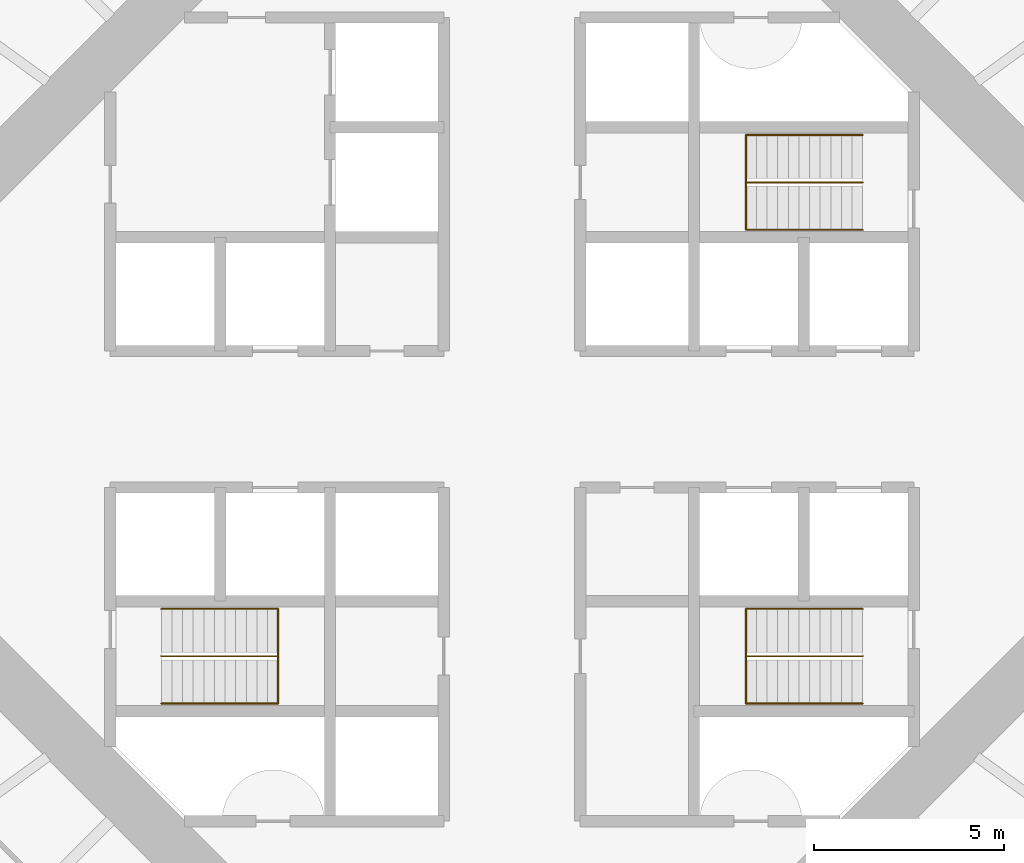
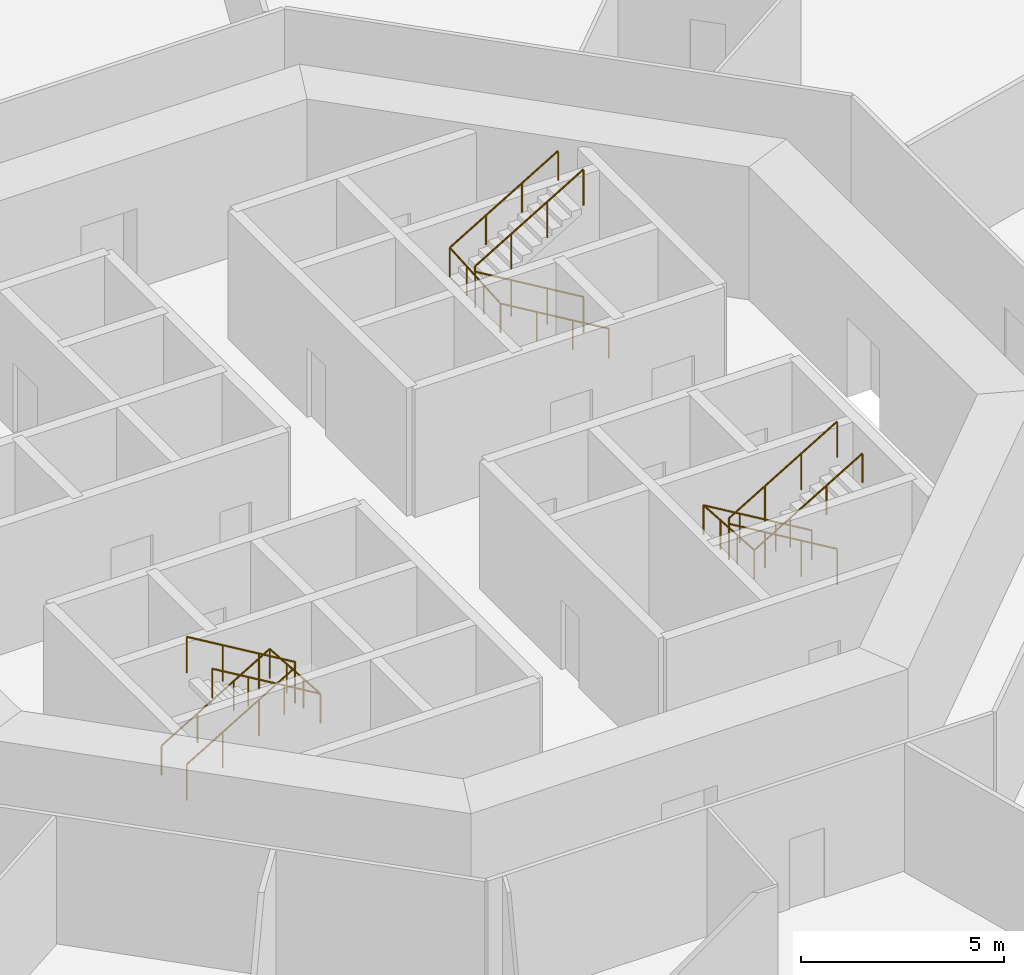
# One storey, part 13 of 13: 6 railings.
"""IFC4 building model written with IfcOpenShell, lengths in metres."""

from ifc_helpers import new_model, si_unit, direction, frame, origin, origin_2d, place, context, subcontext, project, spatial, circle, extrude, material, type_object, element, save


model = new_model("IFC4")

# Units and contexts
model_context = context("Model", 3, precision=1e-05, world=origin(), true_north=direction((0.0, 1.0)))
body_context = subcontext(model_context, "Body", "Model", "MODEL_VIEW")
ifc_project = project(units=[si_unit("LENGTHUNIT", "METRE"), si_unit("AREAUNIT", "SQUARE_METRE"), si_unit("VOLUMEUNIT", "CUBIC_METRE"), si_unit("PLANEANGLEUNIT", "RADIAN"), si_unit("MASSUNIT", "GRAM", prefix="KILO")], contexts=[model_context])

# Site, building, storey
site_placement = place(None, origin())
site = spatial("IfcSite", under=ifc_project, at=site_placement, CompositionType="ELEMENT")
building_placement = place(site_placement, origin())
building = spatial("IfcBuilding", under=site, at=building_placement, Name="Entoto Ring Tower", CompositionType="ELEMENT")
storey_placement = place(building_placement, frame((0.0, 0.0, 26.0)))
storey = spatial("IfcBuildingStorey", under=building, at=storey_placement, Name="L04", CompositionType="ELEMENT", Elevation=26.0)

# Railings
ifc_material_1 = material(Name="Steel S275", Category="steel")
railing_type_1 = type_object("IfcRailingType", Name="Stair guard 1100 mm steel", PredefinedType="GUARDRAIL", material=ifc_material_1)
railing_1_placement = place(storey_placement, frame((99.25, 86.25, 0.166748046875)))
element("IfcRailing", 1, at=railing_1_placement, inside=storey, type_object=railing_type_1, Name="Guard ST1", PredefinedType="GUARDRAIL", context=body_context, shape_type="SweptSolid", body=[
    extrude(circle(Radius=0.02392578125, at=origin_2d()), frame((0.0, 0.0, 1.076171875), z_axis=(-0.859308565015, 0.0, 0.511457515432), x_axis=(0.0, -1.0, 0.0)), (0.0, 0.0, 1.0), 3.58447265625),
    extrude(circle(Radius=0.02392578125, at=origin_2d()), frame((-3.080078125, 0.0, 2.9091796875), z_axis=(0.0, 0.0, 1.0), x_axis=(1.0, 0.0, 0.0)), (0.0, 0.0, 1.0), 0.166748046875),
    extrude(circle(Radius=0.02392578125, at=origin_2d()), frame((-3.080078125, 0.0, 3.076171875), z_axis=(0.859308565015, 0.0, 0.511457515432), x_axis=(0.0, 1.0, 0.0)), (0.0, 0.0, 1.0), 3.58447265625),
    extrude(circle(Radius=0.02099609375, at=origin_2d()), origin(), (0.0, 0.0, 1.0), 1.052001953125),
    extrude(circle(Radius=0.02099609375, at=origin_2d()), frame((-1.026611328125, 0.0, 0.611083984375)), (0.0, 0.0, 1.0), 1.052001953125),
    extrude(circle(Radius=0.02099609375, at=origin_2d()), frame((-2.053466796875, 0.0, 1.22216796875)), (0.0, 0.0, 1.0), 1.052001953125),
    extrude(circle(Radius=0.02099609375, at=origin_2d()), frame((-3.080078125, 0.0, 1.833251953125)), (0.0, 0.0, 1.0), 1.052001953125),
    extrude(circle(Radius=0.02099609375, at=origin_2d()), frame((-3.080078125, 0.0, 2.0)), (0.0, 0.0, 1.0), 1.052001953125),
    extrude(circle(Radius=0.02099609375, at=origin_2d()), frame((-2.053466796875, 0.0, 2.611083984375)), (0.0, 0.0, 1.0), 1.052001953125),
    extrude(circle(Radius=0.02099609375, at=origin_2d()), frame((-1.026611328125, 0.0, 3.22216796875)), (0.0, 0.0, 1.0), 1.052001953125),
    extrude(circle(Radius=0.02099609375, at=origin_2d()), frame((0.0, 0.0, 3.833251953125)), (0.0, 0.0, 1.0), 1.052001953125),
])
railing_2_placement = place(storey_placement, frame((80.75, 73.75, 0.166748046875)))
element("IfcRailing", 2, at=railing_2_placement, inside=storey, type_object=railing_type_1, Name="Guard ST2", PredefinedType="GUARDRAIL", context=body_context, shape_type="SweptSolid", body=[
    extrude(circle(Radius=0.02392578125, at=origin_2d()), frame((0.0, 0.0, 1.076171875), z_axis=(0.859308565015, 0.0, 0.511457515432), x_axis=(0.0, 1.0, 0.0)), (0.0, 0.0, 1.0), 3.58447265625),
    extrude(circle(Radius=0.02392578125, at=origin_2d()), frame((3.080078125, 0.0, 2.9091796875), z_axis=(0.0, 0.0, 1.0), x_axis=(1.0, 0.0, 0.0)), (0.0, 0.0, 1.0), 0.166748046875),
    extrude(circle(Radius=0.02392578125, at=origin_2d()), frame((3.080078125, 0.0, 3.076171875), z_axis=(-0.859308565015, 0.0, 0.511457515432), x_axis=(0.0, -1.0, 0.0)), (0.0, 0.0, 1.0), 3.58447265625),
    extrude(circle(Radius=0.02099609375, at=origin_2d()), origin(), (0.0, 0.0, 1.0), 1.052001953125),
    extrude(circle(Radius=0.02099609375, at=origin_2d()), frame((1.026611328125, 0.0, 0.611083984375)), (0.0, 0.0, 1.0), 1.052001953125),
    extrude(circle(Radius=0.02099609375, at=origin_2d()), frame((2.053466796875, 0.0, 1.22216796875)), (0.0, 0.0, 1.0), 1.052001953125),
    extrude(circle(Radius=0.02099609375, at=origin_2d()), frame((3.080078125, 0.0, 1.833251953125)), (0.0, 0.0, 1.0), 1.052001953125),
    extrude(circle(Radius=0.02099609375, at=origin_2d()), frame((3.080078125, 0.0, 2.0)), (0.0, 0.0, 1.0), 1.052001953125),
    extrude(circle(Radius=0.02099609375, at=origin_2d()), frame((2.053466796875, 0.0, 2.611083984375)), (0.0, 0.0, 1.0), 1.052001953125),
    extrude(circle(Radius=0.02099609375, at=origin_2d()), frame((1.026611328125, 0.0, 3.22216796875)), (0.0, 0.0, 1.0), 1.052001953125),
    extrude(circle(Radius=0.02099609375, at=origin_2d()), frame((0.0, 0.0, 3.833251953125)), (0.0, 0.0, 1.0), 1.052001953125),
])
railing_3_placement = place(storey_placement, frame((99.25, 73.75, 0.166748046875)))
element("IfcRailing", 3, at=railing_3_placement, inside=storey, type_object=railing_type_1, Name="Guard ST3", PredefinedType="GUARDRAIL", context=body_context, shape_type="SweptSolid", body=[
    extrude(circle(Radius=0.02392578125, at=origin_2d()), frame((0.0, 0.0, 1.076171875), z_axis=(-0.859308565015, 0.0, 0.511457515432), x_axis=(0.0, -1.0, 0.0)), (0.0, 0.0, 1.0), 3.58447265625),
    extrude(circle(Radius=0.02392578125, at=origin_2d()), frame((-3.080078125, 0.0, 2.9091796875), z_axis=(0.0, 0.0, 1.0), x_axis=(1.0, 0.0, 0.0)), (0.0, 0.0, 1.0), 0.166748046875),
    extrude(circle(Radius=0.02392578125, at=origin_2d()), frame((-3.080078125, 0.0, 3.076171875), z_axis=(0.859308565015, 0.0, 0.511457515432), x_axis=(0.0, 1.0, 0.0)), (0.0, 0.0, 1.0), 3.58447265625),
    extrude(circle(Radius=0.02099609375, at=origin_2d()), origin(), (0.0, 0.0, 1.0), 1.052001953125),
    extrude(circle(Radius=0.02099609375, at=origin_2d()), frame((-1.026611328125, 0.0, 0.611083984375)), (0.0, 0.0, 1.0), 1.052001953125),
    extrude(circle(Radius=0.02099609375, at=origin_2d()), frame((-2.053466796875, 0.0, 1.22216796875)), (0.0, 0.0, 1.0), 1.052001953125),
    extrude(circle(Radius=0.02099609375, at=origin_2d()), frame((-3.080078125, 0.0, 1.833251953125)), (0.0, 0.0, 1.0), 1.052001953125),
    extrude(circle(Radius=0.02099609375, at=origin_2d()), frame((-3.080078125, 0.0, 2.0)), (0.0, 0.0, 1.0), 1.052001953125),
    extrude(circle(Radius=0.02099609375, at=origin_2d()), frame((-2.053466796875, 0.0, 2.611083984375)), (0.0, 0.0, 1.0), 1.052001953125),
    extrude(circle(Radius=0.02099609375, at=origin_2d()), frame((-1.026611328125, 0.0, 3.22216796875)), (0.0, 0.0, 1.0), 1.052001953125),
    extrude(circle(Radius=0.02099609375, at=origin_2d()), frame((0.0, 0.0, 3.833251953125)), (0.0, 0.0, 1.0), 1.052001953125),
])
ifc_material_2 = material(Name="Steel S275", Category="steel")
railing_type_2 = type_object("IfcRailingType", Name="Stair handrail 900 mm steel", PredefinedType="HANDRAIL", material=ifc_material_2)
railing_4_placement = place(storey_placement, frame((99.25, 85.0, 0.166748046875)))
element("IfcRailing", 4, at=railing_4_placement, inside=storey, type_object=railing_type_2, Name="Handrail ST1", PredefinedType="HANDRAIL", context=body_context, shape_type="SweptSolid", body=[
    extrude(circle(Radius=0.02392578125, at=origin_2d()), frame((0.0, 0.0, 0.8759765625), z_axis=(-0.859308565015, 0.0, 0.511457515432), x_axis=(0.0, -1.0, 0.0)), (0.0, 0.0, 1.0), 3.58447265625),
    extrude(circle(Radius=0.02392578125, at=origin_2d()), frame((-3.080078125, 0.0, 2.708984375), z_axis=(0.0, 0.997783001586, 0.066551346688), x_axis=(-1.0, 0.0, 0.0)), (0.0, 0.0, 1.0), 2.505615234375),
    extrude(circle(Radius=0.02392578125, at=origin_2d()), frame((-3.080078125, 2.5, 2.8759765625), z_axis=(0.859308565015, 0.0, 0.511457515432), x_axis=(0.0, 1.0, 0.0)), (0.0, 0.0, 1.0), 3.58447265625),
    extrude(circle(Radius=0.02099609375, at=origin_2d()), origin(), (0.0, 0.0, 1.0), 0.851806640625),
    extrude(circle(Radius=0.02099609375, at=origin_2d()), frame((-1.026611328125, 0.0, 0.611083984375)), (0.0, 0.0, 1.0), 0.851806640625),
    extrude(circle(Radius=0.02099609375, at=origin_2d()), frame((-2.053466796875, 0.0, 1.22216796875)), (0.0, 0.0, 1.0), 0.851806640625),
    extrude(circle(Radius=0.02099609375, at=origin_2d()), frame((-3.080078125, 0.0, 1.833251953125)), (0.0, 0.0, 1.0), 0.851806640625),
    extrude(circle(Radius=0.02099609375, at=origin_2d()), frame((-3.080078125, 0.833251953125, 1.888916015625)), (0.0, 0.0, 1.0), 0.851806640625),
    extrude(circle(Radius=0.02099609375, at=origin_2d()), frame((-3.080078125, 1.666748046875, 1.9443359375)), (0.0, 0.0, 1.0), 0.851806640625),
    extrude(circle(Radius=0.02099609375, at=origin_2d()), frame((-3.080078125, 2.5, 2.0)), (0.0, 0.0, 1.0), 0.851806640625),
    extrude(circle(Radius=0.02099609375, at=origin_2d()), frame((-2.053466796875, 2.5, 2.611083984375)), (0.0, 0.0, 1.0), 0.851806640625),
    extrude(circle(Radius=0.02099609375, at=origin_2d()), frame((-1.026611328125, 2.5, 3.22216796875)), (0.0, 0.0, 1.0), 0.851806640625),
    extrude(circle(Radius=0.02099609375, at=origin_2d()), frame((0.0, 2.5, 3.833251953125)), (0.0, 0.0, 1.0), 0.851806640625),
])
railing_5_placement = place(storey_placement, frame((80.75, 75.0, 0.166748046875)))
element("IfcRailing", 5, at=railing_5_placement, inside=storey, type_object=railing_type_2, Name="Handrail ST2", PredefinedType="HANDRAIL", context=body_context, shape_type="SweptSolid", body=[
    extrude(circle(Radius=0.02392578125, at=origin_2d()), frame((0.0, 0.0, 0.8759765625), z_axis=(0.859308565015, 0.0, 0.511457515432), x_axis=(0.0, 1.0, 0.0)), (0.0, 0.0, 1.0), 3.58447265625),
    extrude(circle(Radius=0.02392578125, at=origin_2d()), frame((3.080078125, 0.0, 2.708984375), z_axis=(0.0, -0.997783001586, 0.066551346688), x_axis=(1.0, 0.0, 0.0)), (0.0, 0.0, 1.0), 2.505615234375),
    extrude(circle(Radius=0.02392578125, at=origin_2d()), frame((3.080078125, -2.5, 2.8759765625), z_axis=(-0.859308565015, 0.0, 0.511457515432), x_axis=(0.0, -1.0, 0.0)), (0.0, 0.0, 1.0), 3.58447265625),
    extrude(circle(Radius=0.02099609375, at=origin_2d()), origin(), (0.0, 0.0, 1.0), 0.851806640625),
    extrude(circle(Radius=0.02099609375, at=origin_2d()), frame((1.026611328125, 0.0, 0.611083984375)), (0.0, 0.0, 1.0), 0.851806640625),
    extrude(circle(Radius=0.02099609375, at=origin_2d()), frame((2.053466796875, 0.0, 1.22216796875)), (0.0, 0.0, 1.0), 0.851806640625),
    extrude(circle(Radius=0.02099609375, at=origin_2d()), frame((3.080078125, 0.0, 1.833251953125)), (0.0, 0.0, 1.0), 0.851806640625),
    extrude(circle(Radius=0.02099609375, at=origin_2d()), frame((3.080078125, -0.833251953125, 1.888916015625)), (0.0, 0.0, 1.0), 0.851806640625),
    extrude(circle(Radius=0.02099609375, at=origin_2d()), frame((3.080078125, -1.666748046875, 1.9443359375)), (0.0, 0.0, 1.0), 0.851806640625),
    extrude(circle(Radius=0.02099609375, at=origin_2d()), frame((3.080078125, -2.5, 2.0)), (0.0, 0.0, 1.0), 0.851806640625),
    extrude(circle(Radius=0.02099609375, at=origin_2d()), frame((2.053466796875, -2.5, 2.611083984375)), (0.0, 0.0, 1.0), 0.851806640625),
    extrude(circle(Radius=0.02099609375, at=origin_2d()), frame((1.026611328125, -2.5, 3.22216796875)), (0.0, 0.0, 1.0), 0.851806640625),
    extrude(circle(Radius=0.02099609375, at=origin_2d()), frame((0.0, -2.5, 3.833251953125)), (0.0, 0.0, 1.0), 0.851806640625),
])
railing_6_placement = place(storey_placement, frame((99.25, 75.0, 0.166748046875)))
element("IfcRailing", 6, at=railing_6_placement, inside=storey, type_object=railing_type_2, Name="Handrail ST3", PredefinedType="HANDRAIL", context=body_context, shape_type="SweptSolid", body=[
    extrude(circle(Radius=0.02392578125, at=origin_2d()), frame((0.0, 0.0, 0.8759765625), z_axis=(-0.859308565015, 0.0, 0.511457515432), x_axis=(0.0, -1.0, 0.0)), (0.0, 0.0, 1.0), 3.58447265625),
    extrude(circle(Radius=0.02392578125, at=origin_2d()), frame((-3.080078125, 0.0, 2.708984375), z_axis=(0.0, -0.997783001586, 0.066551346688), x_axis=(1.0, 0.0, 0.0)), (0.0, 0.0, 1.0), 2.505615234375),
    extrude(circle(Radius=0.02392578125, at=origin_2d()), frame((-3.080078125, -2.5, 2.8759765625), z_axis=(0.859308565015, 0.0, 0.511457515432), x_axis=(0.0, 1.0, 0.0)), (0.0, 0.0, 1.0), 3.58447265625),
    extrude(circle(Radius=0.02099609375, at=origin_2d()), origin(), (0.0, 0.0, 1.0), 0.851806640625),
    extrude(circle(Radius=0.02099609375, at=origin_2d()), frame((-1.026611328125, 0.0, 0.611083984375)), (0.0, 0.0, 1.0), 0.851806640625),
    extrude(circle(Radius=0.02099609375, at=origin_2d()), frame((-2.053466796875, 0.0, 1.22216796875)), (0.0, 0.0, 1.0), 0.851806640625),
    extrude(circle(Radius=0.02099609375, at=origin_2d()), frame((-3.080078125, 0.0, 1.833251953125)), (0.0, 0.0, 1.0), 0.851806640625),
    extrude(circle(Radius=0.02099609375, at=origin_2d()), frame((-3.080078125, -0.833251953125, 1.888916015625)), (0.0, 0.0, 1.0), 0.851806640625),
    extrude(circle(Radius=0.02099609375, at=origin_2d()), frame((-3.080078125, -1.666748046875, 1.9443359375)), (0.0, 0.0, 1.0), 0.851806640625),
    extrude(circle(Radius=0.02099609375, at=origin_2d()), frame((-3.080078125, -2.5, 2.0)), (0.0, 0.0, 1.0), 0.851806640625),
    extrude(circle(Radius=0.02099609375, at=origin_2d()), frame((-2.053466796875, -2.5, 2.611083984375)), (0.0, 0.0, 1.0), 0.851806640625),
    extrude(circle(Radius=0.02099609375, at=origin_2d()), frame((-1.026611328125, -2.5, 3.22216796875)), (0.0, 0.0, 1.0), 0.851806640625),
    extrude(circle(Radius=0.02099609375, at=origin_2d()), frame((0.0, -2.5, 3.833251953125)), (0.0, 0.0, 1.0), 0.851806640625),
])

save(model, "model.ifc")
